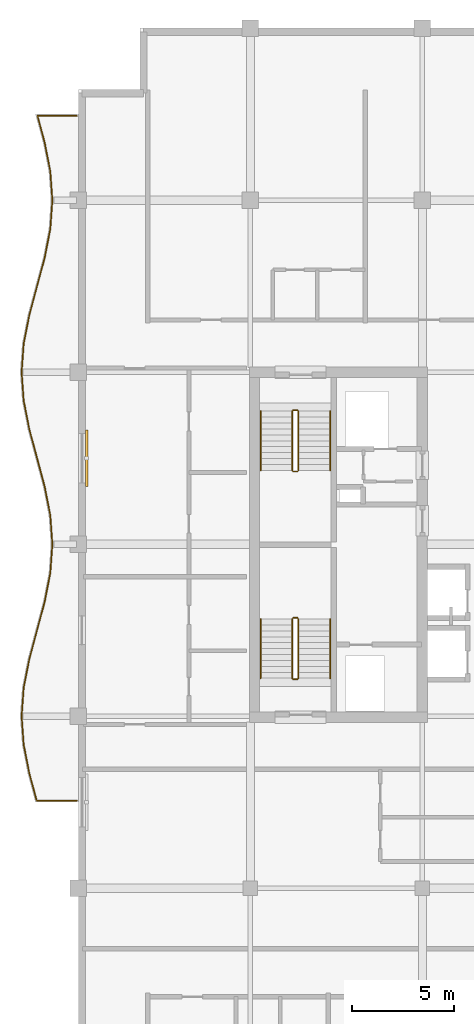
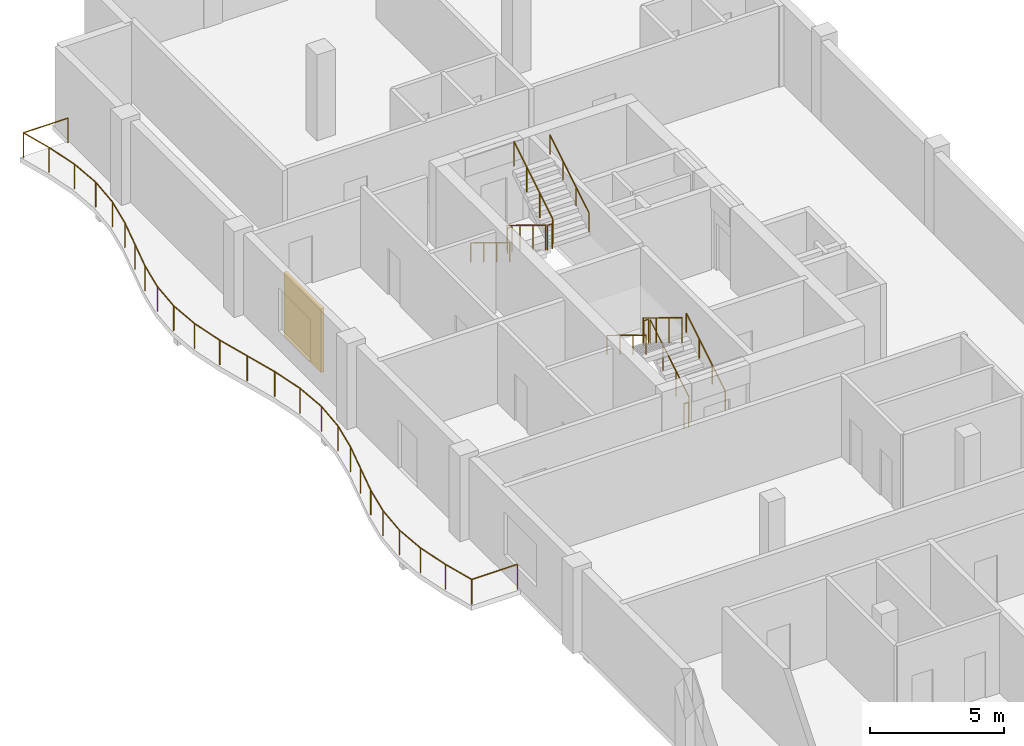
# One storey, part 14 of 14: 13 railings, 1 shading device.
"""IFC4 building model written with IfcOpenShell, lengths in metres."""

from ifc_helpers import new_model, si_unit, direction, frame, origin, origin_2d, place, context, subcontext, project, spatial, rectangle, circle, extrude, material, layer, layer_set, type_object, element, save


model = new_model("IFC4")

# Units and contexts
model_context = context("Model", 3, precision=1e-05, world=origin(), true_north=direction((0.0, 1.0)))
body_context = subcontext(model_context, "Body", "Model", "MODEL_VIEW")
ifc_project = project(units=[si_unit("LENGTHUNIT", "METRE"), si_unit("AREAUNIT", "SQUARE_METRE"), si_unit("VOLUMEUNIT", "CUBIC_METRE"), si_unit("PLANEANGLEUNIT", "RADIAN"), si_unit("MASSUNIT", "GRAM", prefix="KILO")], contexts=[model_context])

# Site, building, storey
site_placement = place(None, origin())
site = spatial("IfcSite", under=ifc_project, at=site_placement, CompositionType="ELEMENT")
building_placement = place(site_placement, origin())
building = spatial("IfcBuilding", under=site, at=building_placement, Name="Koriwani Terraces Tower", CompositionType="ELEMENT")
storey_placement = place(building_placement, frame((0.0, 0.0, 308.60009765625)))
storey = spatial("IfcBuildingStorey", under=building, at=storey_placement, Name="L76", CompositionType="ELEMENT", Elevation=308.60009765625)

# Railings
ifc_material_1 = material(Name="Steel ASTM A572 Grade 50", Category="steel")
railing_type_1 = type_object("IfcRailingType", Name="GUARD_BALUSTRADE_1150", PredefinedType="BALUSTRADE", material=ifc_material_1)
railing_1_placement = place(storey_placement, frame((8.320068359375, 37.8798828125, 0.0)))
element("IfcRailing", 1, at=railing_1_placement, inside=storey, type_object=railing_type_1, Name="L76 Balcony Perimeter Safety Balustrade (W)", PredefinedType="BALUSTRADE", context=body_context, shape_type="SweptSolid", body=[
    extrude(circle(Radius=0.02392578125, at=origin_2d()), frame((0.0, 0.0, 1.1259765625), z_axis=(-1.0, 0.0, 0.0), x_axis=(0.0, -1.0, 0.0)), (0.0, 0.0, 1.0), 1.958740234375),
    extrude(circle(Radius=0.02392578125, at=origin_2d()), frame((-1.958740234375, 0.0, 1.1259765625), z_axis=(-0.25871553033, 0.965953557044, 0.0), x_axis=(-0.965953557044, -0.25871553033, 0.0)), (0.0, 0.0, 1.0), 1.38525390625),
    extrude(circle(Radius=0.02392578125, at=origin_2d()), frame((-2.317138671875, 1.338134765625, 1.1259765625), z_axis=(-0.192342993657, 0.981327760125, 0.0), x_axis=(-0.981327760125, -0.192342993657, 0.0)), (0.0, 0.0, 1.0), 1.419189453125),
    extrude(circle(Radius=0.02392578125, at=origin_2d()), frame((-2.590087890625, 2.730712890625, 1.1259765625), z_axis=(-0.07168297904, 0.997427466293, 0.0), x_axis=(-0.997427466293, -0.07168297904, 0.0)), (0.0, 0.0, 1.0), 1.39306640625),
    extrude(circle(Radius=0.02392578125, at=origin_2d()), frame((-2.68994140625, 4.1201171875, 1.1259765625), z_axis=(0.07168297904, 0.997427466293, 0.0), x_axis=(-0.997427466293, 0.07168297904, 0.0)), (0.0, 0.0, 1.0), 1.39306640625),
    extrude(circle(Radius=0.02392578125, at=origin_2d()), frame((-2.590087890625, 5.509521484375, 1.1259765625), z_axis=(0.192342993657, 0.981327760125, 0.0), x_axis=(-0.981327760125, 0.192342993657, 0.0)), (0.0, 0.0, 1.0), 1.419189453125),
    extrude(circle(Radius=0.02392578125, at=origin_2d()), frame((-2.317138671875, 6.902099609375, 1.1259765625), z_axis=(0.258731875344, 0.96594917914, 0.0), x_axis=(-0.96594917914, 0.258731875344, 0.0)), (0.0, 0.0, 1.0), 2.898681640625),
    extrude(circle(Radius=0.02392578125, at=origin_2d()), frame((-1.567138671875, 9.7021484375, 1.1259765625), z_axis=(0.192186246762, 0.981358469957, 0.0), x_axis=(-0.981358469957, 0.192186246762, 0.0)), (0.0, 0.0, 1.0), 1.434326171875),
    extrude(circle(Radius=0.02392578125, at=origin_2d()), frame((-1.29150390625, 11.109619140625, 1.1259765625), z_axis=(0.071651951482, 0.997429695692, 0.0), x_axis=(-0.997429695692, 0.071651951482, 0.0)), (0.0, 0.0, 1.0), 1.4140625),
    extrude(circle(Radius=0.02392578125, at=origin_2d()), frame((-1.190185546875, 12.52001953125, 1.1259765625), z_axis=(-0.071639614309, 0.997430581876, 0.0), x_axis=(-0.997430581876, -0.071639614309, 0.0)), (0.0, 0.0, 1.0), 1.414306640625),
    extrude(circle(Radius=0.02392578125, at=origin_2d()), frame((-1.29150390625, 13.9306640625, 1.1259765625), z_axis=(-0.192186246762, 0.981358469957, 0.0), x_axis=(-0.981358469957, -0.192186246762, 0.0)), (0.0, 0.0, 1.0), 1.434326171875),
    extrude(circle(Radius=0.02392578125, at=origin_2d()), frame((-1.567138671875, 15.338134765625, 1.1259765625), z_axis=(-0.258731875344, 0.96594917914, 0.0), x_axis=(-0.96594917914, -0.258731875344, 0.0)), (0.0, 0.0, 1.0), 2.898681640625),
    extrude(circle(Radius=0.02392578125, at=origin_2d()), frame((-2.317138671875, 18.13818359375, 1.1259765625), z_axis=(-0.192342993657, 0.981327760125, 0.0), x_axis=(-0.981327760125, -0.192342993657, 0.0)), (0.0, 0.0, 1.0), 1.419189453125),
    extrude(circle(Radius=0.02392578125, at=origin_2d()), frame((-2.590087890625, 19.53076171875, 1.1259765625), z_axis=(-0.07168297904, 0.997427466293, 0.0), x_axis=(-0.997427466293, -0.07168297904, 0.0)), (0.0, 0.0, 1.0), 1.39306640625),
    extrude(circle(Radius=0.02392578125, at=origin_2d()), frame((-2.68994140625, 20.920166015625, 1.1259765625), z_axis=(0.07168297904, 0.997427466293, 0.0), x_axis=(-0.997427466293, 0.07168297904, 0.0)), (0.0, 0.0, 1.0), 1.39306640625),
    extrude(circle(Radius=0.02392578125, at=origin_2d()), frame((-2.590087890625, 22.3095703125, 1.1259765625), z_axis=(0.19237547223, 0.981321393675, 0.0), x_axis=(-0.981321393675, 0.19237547223, 0.0)), (0.0, 0.0, 1.0), 1.4189453125),
    extrude(circle(Radius=0.02392578125, at=origin_2d()), frame((-2.317138671875, 23.701904296875, 1.1259765625), z_axis=(0.258710827923, 0.965954816498, 0.0), x_axis=(-0.965954816498, 0.258710827923, 0.0)), (0.0, 0.0, 1.0), 2.89892578125),
    extrude(circle(Radius=0.02392578125, at=origin_2d()), frame((-1.567138671875, 26.502197265625, 1.1259765625), z_axis=(0.192218357442, 0.981352180954, 0.0), x_axis=(-0.981352180954, 0.192218357442, 0.0)), (0.0, 0.0, 1.0), 1.43408203125),
    extrude(circle(Radius=0.02392578125, at=origin_2d()), frame((-1.29150390625, 27.909423828125, 1.1259765625), z_axis=(0.071639614309, 0.997430581876, 0.0), x_axis=(-0.997430581876, 0.071639614309, 0.0)), (0.0, 0.0, 1.0), 1.414306640625),
    extrude(circle(Radius=0.02392578125, at=origin_2d()), frame((-1.190185546875, 29.320068359375, 1.1259765625), z_axis=(-0.071639614309, 0.997430581876, 0.0), x_axis=(-0.997430581876, -0.071639614309, 0.0)), (0.0, 0.0, 1.0), 1.414306640625),
    extrude(circle(Radius=0.02392578125, at=origin_2d()), frame((-1.29150390625, 30.730712890625, 1.1259765625), z_axis=(-0.192186246762, 0.981358469957, 0.0), x_axis=(-0.981358469957, -0.192186246762, 0.0)), (0.0, 0.0, 1.0), 1.434326171875),
    extrude(circle(Radius=0.02392578125, at=origin_2d()), frame((-1.567138671875, 32.13818359375, 1.1259765625), z_axis=(-0.258654599752, 0.965969874285, 0.0), x_axis=(-0.965969874285, -0.258654599752, 0.0)), (0.0, 0.0, 1.0), 1.347900390625),
    extrude(circle(Radius=0.02392578125, at=origin_2d()), frame((-1.915771484375, 33.440185546875, 1.1259765625), z_axis=(1.0, 0.0, 0.0), x_axis=(0.0, 1.0, 0.0)), (0.0, 0.0, 1.0), 1.915771484375),
    extrude(circle(Radius=0.02099609375, at=origin_2d()), origin(), (0.0, 0.0, 1.0), 1.101806640625),
    extrude(circle(Radius=0.02099609375, at=origin_2d()), frame((-1.958740234375, 0.0, 0.0)), (0.0, 0.0, 1.0), 1.101806640625),
    extrude(circle(Radius=0.02099609375, at=origin_2d()), frame((-2.317138671875, 1.338134765625, 0.0)), (0.0, 0.0, 1.0), 1.101806640625),
    extrude(circle(Radius=0.02099609375, at=origin_2d()), frame((-2.590087890625, 2.730712890625, 0.0)), (0.0, 0.0, 1.0), 1.101806640625),
    extrude(circle(Radius=0.02099609375, at=origin_2d()), frame((-2.68994140625, 4.1201171875, 0.0)), (0.0, 0.0, 1.0), 1.101806640625),
    extrude(circle(Radius=0.02099609375, at=origin_2d()), frame((-2.590087890625, 5.509521484375, 0.0)), (0.0, 0.0, 1.0), 1.101806640625),
    extrude(circle(Radius=0.02099609375, at=origin_2d()), frame((-2.317138671875, 6.902099609375, 0.0)), (0.0, 0.0, 1.0), 1.101806640625),
    extrude(circle(Radius=0.02099609375, at=origin_2d()), frame((-1.942138671875, 8.30224609375, 0.0)), (0.0, 0.0, 1.0), 1.101806640625),
    extrude(circle(Radius=0.02099609375, at=origin_2d()), frame((-1.567138671875, 9.7021484375, 0.0)), (0.0, 0.0, 1.0), 1.101806640625),
    extrude(circle(Radius=0.02099609375, at=origin_2d()), frame((-1.29150390625, 11.109619140625, 0.0)), (0.0, 0.0, 1.0), 1.101806640625),
    extrude(circle(Radius=0.02099609375, at=origin_2d()), frame((-1.190185546875, 12.52001953125, 0.0)), (0.0, 0.0, 1.0), 1.101806640625),
    extrude(circle(Radius=0.02099609375, at=origin_2d()), frame((-1.29150390625, 13.9306640625, 0.0)), (0.0, 0.0, 1.0), 1.101806640625),
    extrude(circle(Radius=0.02099609375, at=origin_2d()), frame((-1.567138671875, 15.338134765625, 0.0)), (0.0, 0.0, 1.0), 1.101806640625),
    extrude(circle(Radius=0.02099609375, at=origin_2d()), frame((-1.942138671875, 16.73828125, 0.0)), (0.0, 0.0, 1.0), 1.101806640625),
    extrude(circle(Radius=0.02099609375, at=origin_2d()), frame((-2.317138671875, 18.13818359375, 0.0)), (0.0, 0.0, 1.0), 1.101806640625),
    extrude(circle(Radius=0.02099609375, at=origin_2d()), frame((-2.590087890625, 19.53076171875, 0.0)), (0.0, 0.0, 1.0), 1.101806640625),
    extrude(circle(Radius=0.02099609375, at=origin_2d()), frame((-2.68994140625, 20.920166015625, 0.0)), (0.0, 0.0, 1.0), 1.101806640625),
    extrude(circle(Radius=0.02099609375, at=origin_2d()), frame((-2.590087890625, 22.3095703125, 0.0)), (0.0, 0.0, 1.0), 1.101806640625),
    extrude(circle(Radius=0.02099609375, at=origin_2d()), frame((-2.317138671875, 23.701904296875, 0.0)), (0.0, 0.0, 1.0), 1.101806640625),
    extrude(circle(Radius=0.02099609375, at=origin_2d()), frame((-1.942138671875, 25.10205078125, 0.0)), (0.0, 0.0, 1.0), 1.101806640625),
    extrude(circle(Radius=0.02099609375, at=origin_2d()), frame((-1.567138671875, 26.502197265625, 0.0)), (0.0, 0.0, 1.0), 1.101806640625),
    extrude(circle(Radius=0.02099609375, at=origin_2d()), frame((-1.29150390625, 27.909423828125, 0.0)), (0.0, 0.0, 1.0), 1.101806640625),
    extrude(circle(Radius=0.02099609375, at=origin_2d()), frame((-1.190185546875, 29.320068359375, 0.0)), (0.0, 0.0, 1.0), 1.101806640625),
    extrude(circle(Radius=0.02099609375, at=origin_2d()), frame((-1.29150390625, 30.730712890625, 0.0)), (0.0, 0.0, 1.0), 1.101806640625),
    extrude(circle(Radius=0.02099609375, at=origin_2d()), frame((-1.567138671875, 32.13818359375, 0.0)), (0.0, 0.0, 1.0), 1.101806640625),
    extrude(circle(Radius=0.02099609375, at=origin_2d()), frame((-1.915771484375, 33.440185546875, 0.0)), (0.0, 0.0, 1.0), 1.101806640625),
    extrude(circle(Radius=0.02099609375, at=origin_2d()), frame((0.0, 33.440185546875, 0.0)), (0.0, 0.0, 1.0), 1.101806640625),
])
railing_type_2 = type_object("IfcRailingType", Name="GUARD_STAIR_WELL_1120", PredefinedType="GUARDRAIL", material=ifc_material_1)
railing_2_placement = place(storey_placement, frame((19.14990234375, 43.85009765625, 0.17724609375)))
element("IfcRailing", 2, at=railing_2_placement, inside=storey, type_object=railing_type_2, Name="L76 ST-W1 stair guard 1", PredefinedType="GUARDRAIL", context=body_context, shape_type="SweptSolid", body=[
    extrude(circle(Radius=0.02392578125, at=origin_2d()), frame((0.0, 0.0, 1.1259765625), z_axis=(0.0, 0.853210801645, 0.521566225858), x_axis=(-1.0, 0.0, 0.0)), (0.0, 0.0, 1.0), 3.39892578125),
    extrude(circle(Radius=0.02099609375, at=origin_2d()), origin(), (0.0, 0.0, 1.0), 1.101806640625),
    extrude(circle(Radius=0.02099609375, at=origin_2d()), frame((0.0, 0.966552734375, 0.5908203125)), (0.0, 0.0, 1.0), 1.101806640625),
    extrude(circle(Radius=0.02099609375, at=origin_2d()), frame((0.0, 1.933349609375, 1.181884765625)), (0.0, 0.0, 1.0), 1.101806640625),
    extrude(circle(Radius=0.02099609375, at=origin_2d()), frame((0.0, 2.89990234375, 1.772705078125)), (0.0, 0.0, 1.0), 1.101806640625),
])
railing_3_placement = place(storey_placement, frame((19.10009765625, 46.800048828125, 1.949951171875)))
element("IfcRailing", 3, at=railing_3_placement, inside=storey, type_object=railing_type_2, Name="L76 ST-W1 stair guard 2", PredefinedType="GUARDRAIL", context=body_context, shape_type="SweptSolid", body=[
    extrude(circle(Radius=0.02392578125, at=origin_2d()), frame((0.0, 0.0, 1.1259765625), z_axis=(-1.0, 0.0, 0.0), x_axis=(0.0, -1.0, 0.0)), (0.0, 0.0, 1.0), 0.2001953125),
    extrude(circle(Radius=0.02099609375, at=origin_2d()), origin(), (0.0, 0.0, 1.0), 1.101806640625),
    extrude(circle(Radius=0.02099609375, at=origin_2d()), frame((-0.2001953125, 0.0, 0.0)), (0.0, 0.0, 1.0), 1.101806640625),
])
railing_4_placement = place(storey_placement, frame((18.85009765625, 46.75, 2.127197265625)))
element("IfcRailing", 4, at=railing_4_placement, inside=storey, type_object=railing_type_2, Name="L76 ST-W1 stair guard 3", PredefinedType="GUARDRAIL", context=body_context, shape_type="SweptSolid", body=[
    extrude(circle(Radius=0.02392578125, at=origin_2d()), frame((0.0, 0.0, 1.1259765625), z_axis=(0.0, -0.853210801645, 0.521566225858), x_axis=(1.0, 0.0, 0.0)), (0.0, 0.0, 1.0), 3.39892578125),
    extrude(circle(Radius=0.02099609375, at=origin_2d()), origin(), (0.0, 0.0, 1.0), 1.101806640625),
    extrude(circle(Radius=0.02099609375, at=origin_2d()), frame((0.0, -0.966552734375, 0.5908203125)), (0.0, 0.0, 1.0), 1.101806640625),
    extrude(circle(Radius=0.02099609375, at=origin_2d()), frame((0.0, -1.933349609375, 1.181884765625)), (0.0, 0.0, 1.0), 1.101806640625),
    extrude(circle(Radius=0.02099609375, at=origin_2d()), frame((0.0, -2.89990234375, 1.772705078125)), (0.0, 0.0, 1.0), 1.101806640625),
])
railing_5_placement = place(storey_placement, frame((19.10009765625, 43.800048828125, 0.0)))
element("IfcRailing", 5, at=railing_5_placement, inside=storey, type_object=railing_type_2, Name="L76 ST-W1 stair guard 4", PredefinedType="GUARDRAIL", context=body_context, shape_type="SweptSolid", body=[
    extrude(circle(Radius=0.02392578125, at=origin_2d()), frame((0.0, 0.0, 1.1259765625), z_axis=(-1.0, 0.0, 0.0), x_axis=(0.0, -1.0, 0.0)), (0.0, 0.0, 1.0), 0.2001953125),
    extrude(circle(Radius=0.02099609375, at=origin_2d()), origin(), (0.0, 0.0, 1.0), 1.101806640625),
    extrude(circle(Radius=0.02099609375, at=origin_2d()), frame((-0.2001953125, 0.0, 0.0)), (0.0, 0.0, 1.0), 1.101806640625),
])
railing_6_placement = place(storey_placement, frame((18.85009765625, 56.89990234375, 0.17724609375)))
element("IfcRailing", 6, at=railing_6_placement, inside=storey, type_object=railing_type_2, Name="L76 ST-W2 stair guard 1", PredefinedType="GUARDRAIL", context=body_context, shape_type="SweptSolid", body=[
    extrude(circle(Radius=0.02392578125, at=origin_2d()), frame((0.0, 0.0, 1.1259765625), z_axis=(0.0, -0.853210801645, 0.521566225858), x_axis=(1.0, 0.0, 0.0)), (0.0, 0.0, 1.0), 3.39892578125),
    extrude(circle(Radius=0.02099609375, at=origin_2d()), origin(), (0.0, 0.0, 1.0), 1.101806640625),
    extrude(circle(Radius=0.02099609375, at=origin_2d()), frame((0.0, -0.966552734375, 0.5908203125)), (0.0, 0.0, 1.0), 1.101806640625),
    extrude(circle(Radius=0.02099609375, at=origin_2d()), frame((0.0, -1.933349609375, 1.181884765625)), (0.0, 0.0, 1.0), 1.101806640625),
    extrude(circle(Radius=0.02099609375, at=origin_2d()), frame((0.0, -2.89990234375, 1.772705078125)), (0.0, 0.0, 1.0), 1.101806640625),
])
railing_7_placement = place(storey_placement, frame((18.89990234375, 53.949951171875, 1.949951171875)))
element("IfcRailing", 7, at=railing_7_placement, inside=storey, type_object=railing_type_2, Name="L76 ST-W2 stair guard 2", PredefinedType="GUARDRAIL", context=body_context, shape_type="SweptSolid", body=[
    extrude(circle(Radius=0.02392578125, at=origin_2d()), frame((0.0, 0.0, 1.1259765625), z_axis=(1.0, 0.0, 0.0), x_axis=(0.0, 1.0, 0.0)), (0.0, 0.0, 1.0), 0.2001953125),
    extrude(circle(Radius=0.02099609375, at=origin_2d()), origin(), (0.0, 0.0, 1.0), 1.101806640625),
    extrude(circle(Radius=0.02099609375, at=origin_2d()), frame((0.2001953125, 0.0, 0.0)), (0.0, 0.0, 1.0), 1.101806640625),
])
railing_8_placement = place(storey_placement, frame((19.14990234375, 54.0, 2.127197265625)))
element("IfcRailing", 8, at=railing_8_placement, inside=storey, type_object=railing_type_2, Name="L76 ST-W2 stair guard 3", PredefinedType="GUARDRAIL", context=body_context, shape_type="SweptSolid", body=[
    extrude(circle(Radius=0.02392578125, at=origin_2d()), frame((0.0, 0.0, 1.1259765625), z_axis=(0.0, 0.853210801645, 0.521566225858), x_axis=(-1.0, 0.0, 0.0)), (0.0, 0.0, 1.0), 3.39892578125),
    extrude(circle(Radius=0.02099609375, at=origin_2d()), origin(), (0.0, 0.0, 1.0), 1.101806640625),
    extrude(circle(Radius=0.02099609375, at=origin_2d()), frame((0.0, 0.966552734375, 0.5908203125)), (0.0, 0.0, 1.0), 1.101806640625),
    extrude(circle(Radius=0.02099609375, at=origin_2d()), frame((0.0, 1.933349609375, 1.181884765625)), (0.0, 0.0, 1.0), 1.101806640625),
    extrude(circle(Radius=0.02099609375, at=origin_2d()), frame((0.0, 2.89990234375, 1.772705078125)), (0.0, 0.0, 1.0), 1.101806640625),
])
railing_9_placement = place(storey_placement, frame((18.89990234375, 56.949951171875, 0.0)))
element("IfcRailing", 9, at=railing_9_placement, inside=storey, type_object=railing_type_2, Name="L76 ST-W2 stair guard 4", PredefinedType="GUARDRAIL", context=body_context, shape_type="SweptSolid", body=[
    extrude(circle(Radius=0.02392578125, at=origin_2d()), frame((0.0, 0.0, 1.1259765625), z_axis=(1.0, 0.0, 0.0), x_axis=(0.0, 1.0, 0.0)), (0.0, 0.0, 1.0), 0.2001953125),
    extrude(circle(Radius=0.02099609375, at=origin_2d()), origin(), (0.0, 0.0, 1.0), 1.101806640625),
    extrude(circle(Radius=0.02099609375, at=origin_2d()), frame((0.2001953125, 0.0, 0.0)), (0.0, 0.0, 1.0), 1.101806640625),
])
railing_type_3 = type_object("IfcRailingType", Name="HANDRAIL_STAIR_920", PredefinedType="HANDRAIL", material=ifc_material_1)
railing_10_placement = place(storey_placement, frame((20.699951171875, 43.85009765625, 0.17724609375)))
element("IfcRailing", 10, at=railing_10_placement, inside=storey, type_object=railing_type_3, Name="L76 ST-W1 stair handrail 1", PredefinedType="HANDRAIL", context=body_context, shape_type="SweptSolid", body=[
    extrude(circle(Radius=0.02392578125, at=origin_2d()), frame((0.0, 0.0, 0.8759765625), z_axis=(0.0, 0.853210801645, 0.521566225858), x_axis=(-1.0, 0.0, 0.0)), (0.0, 0.0, 1.0), 3.39892578125),
    extrude(circle(Radius=0.02099609375, at=origin_2d()), origin(), (0.0, 0.0, 1.0), 0.851806640625),
    extrude(circle(Radius=0.02099609375, at=origin_2d()), frame((0.0, 0.966552734375, 0.5908203125)), (0.0, 0.0, 1.0), 0.851806640625),
    extrude(circle(Radius=0.02099609375, at=origin_2d()), frame((0.0, 1.933349609375, 1.181884765625)), (0.0, 0.0, 1.0), 0.851806640625),
    extrude(circle(Radius=0.02099609375, at=origin_2d()), frame((0.0, 2.89990234375, 1.772705078125)), (0.0, 0.0, 1.0), 0.851806640625),
])
for number, where, name in (
    (11, (17.300048828125, 46.75, 2.127197265625), "L76 ST-W1 stair handrail 2"),
    (12, (17.300048828125, 56.89990234375, 0.17724609375), "L76 ST-W2 stair handrail 1"),
):
    element("IfcRailing", number, at=place(storey_placement, frame(where)), inside=storey, type_object=railing_type_3, Name=name, PredefinedType="HANDRAIL", context=body_context, shape_type="SweptSolid", body=[
        extrude(circle(Radius=0.02392578125, at=origin_2d()), frame((0.0, 0.0, 0.8759765625), z_axis=(0.0, -0.853210801645, 0.521566225858), x_axis=(1.0, 0.0, 0.0)), (0.0, 0.0, 1.0), 3.39892578125),
        extrude(circle(Radius=0.02099609375, at=origin_2d()), origin(), (0.0, 0.0, 1.0), 0.851806640625),
        extrude(circle(Radius=0.02099609375, at=origin_2d()), frame((0.0, -0.966552734375, 0.5908203125)), (0.0, 0.0, 1.0), 0.851806640625),
        extrude(circle(Radius=0.02099609375, at=origin_2d()), frame((0.0, -1.933349609375, 1.181884765625)), (0.0, 0.0, 1.0), 0.851806640625),
        extrude(circle(Radius=0.02099609375, at=origin_2d()), frame((0.0, -2.89990234375, 1.772705078125)), (0.0, 0.0, 1.0), 0.851806640625),
    ])
railing_11_placement = place(storey_placement, frame((20.699951171875, 54.0, 2.127197265625)))
element("IfcRailing", 13, at=railing_11_placement, inside=storey, type_object=railing_type_3, Name="L76 ST-W2 stair handrail 2", PredefinedType="HANDRAIL", context=body_context, shape_type="SweptSolid", body=[
    extrude(circle(Radius=0.02392578125, at=origin_2d()), frame((0.0, 0.0, 0.8759765625), z_axis=(0.0, 0.853210801645, 0.521566225858), x_axis=(-1.0, 0.0, 0.0)), (0.0, 0.0, 1.0), 3.39892578125),
    extrude(circle(Radius=0.02099609375, at=origin_2d()), origin(), (0.0, 0.0, 1.0), 0.851806640625),
    extrude(circle(Radius=0.02099609375, at=origin_2d()), frame((0.0, 0.966552734375, 0.5908203125)), (0.0, 0.0, 1.0), 0.851806640625),
    extrude(circle(Radius=0.02099609375, at=origin_2d()), frame((0.0, 1.933349609375, 1.181884765625)), (0.0, 0.0, 1.0), 0.851806640625),
    extrude(circle(Radius=0.02099609375, at=origin_2d()), frame((0.0, 2.89990234375, 1.772705078125)), (0.0, 0.0, 1.0), 0.851806640625),
])

# Shading device
ifc_material_2 = material(Name="Extruded Terracotta Clay", Category="masonry")
ifc_layer = layer(ifc_material_2, 0.1201171875, Name="Extruded Terracotta Clay")
ifc_layer_set = layer_set([ifc_layer], Name="Extruded Terracotta Clay")
shading_device_type = type_object("IfcShadingDeviceType", Name="TERRACOTTA_BAGUETTE_SCREEN_2800", PredefinedType="USERDEFINED", material=ifc_layer_set)
shading_device_placement = place(storey_placement, frame((8.804931640625, 54.60009765625, 0.385009765625), z_axis=(0.0, 0.0, 1.0), x_axis=(0.0, 1.0, 0.0)))
element("IfcShadingDevice", 14, at=shading_device_placement, inside=storey, type_object=shading_device_type, Name="L76 Extruded Terracotta Baguette Screen (W-15)", ObjectType="BAGUETTE", PredefinedType="USERDEFINED", context=body_context, shape_type="SweptSolid", body=[
    extrude(rectangle(XDim=2.760009765625, YDim=0.1201171875, at=origin_2d()), origin(), (0.0, 0.0, 1.0), 2.89990234375),
])

save(model, "model.ifc")
